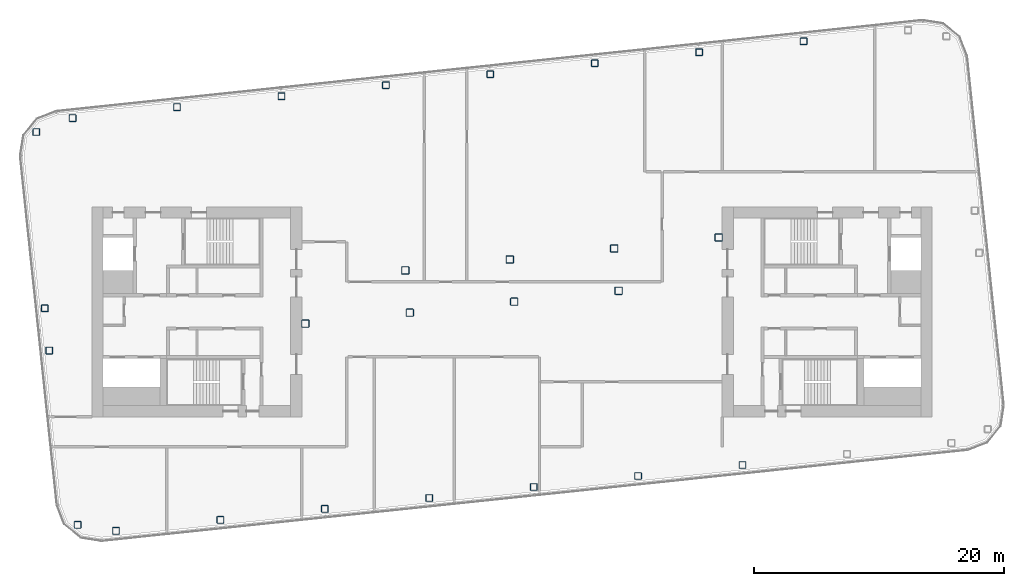
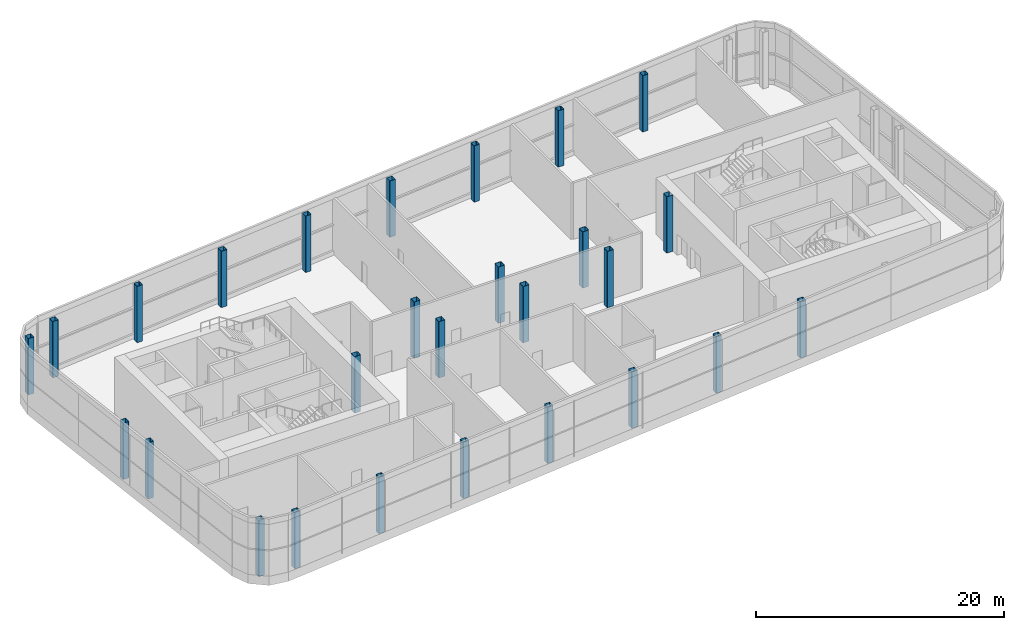
# One storey, part 1 of 35: 27 columns.
"""IFC4 building model written with IfcOpenShell, lengths in metres."""

from ifc_helpers import new_model, si_unit, direction, frame, origin, origin_2d, place, context, subcontext, project, spatial, hollow_rectangle, extrude, material, material_profile, profile_set, type_object, element, save


model = new_model("IFC4")

# Units and contexts
model_context = context("Model", 3, precision=1e-05, world=origin(), true_north=direction((0.0, 1.0)))
body_context = subcontext(model_context, "Body", "Model", "MODEL_VIEW")
ifc_project = project(units=[si_unit("LENGTHUNIT", "METRE"), si_unit("AREAUNIT", "SQUARE_METRE"), si_unit("VOLUMEUNIT", "CUBIC_METRE"), si_unit("PLANEANGLEUNIT", "RADIAN"), si_unit("MASSUNIT", "GRAM", prefix="KILO")], contexts=[model_context])

# Site, building, storey
site_placement = place(None, origin())
site = spatial("IfcSite", under=ifc_project, at=site_placement, CompositionType="ELEMENT")
building_placement = place(site_placement, origin())
building = spatial("IfcBuilding", under=site, at=building_placement, Name="Hakoniwa Tower and Hamabe Station Hall", CompositionType="ELEMENT")
storey_placement = place(building_placement, frame((0.0, 0.0, 270.60009765625)))
storey = spatial("IfcBuildingStorey", under=building, at=storey_placement, Name="L76", CompositionType="ELEMENT", Elevation=270.60009765625)

# Columns
ifc_material_1 = material(Name="Steel BCP325", Category="steel")
ifc_material_profile_1 = material_profile(ifc_material_1, hollow_rectangle(XDim=0.550048828125, YDim=0.550048828125, WallThickness=0.02197265625, InnerFilletRadius=0.032958984375, OuterFilletRadius=0.054931640625, at=origin_2d()), Name="BCP-550x550x22")
ifc_profile_set_1 = profile_set([ifc_material_profile_1], Name="Steel BCP325")
column_type_1 = type_object("IfcColumnType", Name="COLUMN BCP-550x550x22", PredefinedType="COLUMN", material=ifc_profile_set_1)
for number, where, z_axis, x_axis, name in (
    (1, (-34.750732421875, -17.04248046875, 0.0), (0.0, 0.0, 1.0), (1.0, 0.0, 0.0), "Column B5-EW-A5"),
    (2, (-37.017333984375, -3.10009765625, 0.0), (0.0, 0.0, 1.0), (1.0, 0.0, 0.0), "Column B5-EW-C5"),
    (3, (-37.372802734375, 0.28125, 0.0), (0.0, 0.0, 1.0), (1.0, 0.0, 0.0), "Column B5-EW-D5"),
    (4, (-38.054443359375, 14.390380859375, 0.0), (0.0, 0.0, 1.0), (1.0, 0.0, 0.0), "Column B5-EW-F5"),
    (5, (-31.680908203125, -17.521240234375, 0.0), (0.0, 0.0, 1.0), (1.0, 0.0, 0.0), "Column B5-3-A5"),
    (6, (-35.151123046875, 15.496826171875, 0.0), (0.0, 0.0, 1.0), (1.0, 0.0, 0.0), "Column B5-3-F5"),
    (7, (-23.326904296875, -16.643310546875, 0.0), (0.0, 0.0, 1.0), (1.0, 0.0, 0.0), "Column B5-4-A5"),
    (8, (-26.797119140625, 16.375, 0.0), (0.0, 0.0, 1.0), (1.0, 0.0, 0.0), "Column B5-4-F5"),
    (9, (-14.972900390625, -15.76513671875, 0.0), (0.0, 0.0, 1.0), (1.0, 0.0, 0.0), "Column B5-5-A5"),
    (10, (-18.443115234375, 17.2529296875, 0.0), (0.0, 0.0, 1.0), (1.0, 0.0, 0.0), "Column B5-5-F5"),
    (11, (-6.618896484375, -14.88720703125, 0.0), (0.0, 0.0, 1.0), (1.0, 0.0, 0.0), "Column B5-6-A5"),
    (12, (-10.089111328125, 18.131103515625, 0.0), (0.0, 0.0, 1.0), (1.0, 0.0, 0.0), "Column B5-6-F5"),
    (13, (1.735107421875, -14.009033203125, 0.0), (0.0, 0.0, 1.0), (1.0, 0.0, 0.0), "Column B5-7-A5"),
    (14, (-1.735107421875, 19.009033203125, 0.0), (0.0, 0.0, 1.0), (1.0, 0.0, 0.0), "Column B5-7-F5"),
    (15, (10.089111328125, -13.131103515625, 0.0), (0.0, 0.0, 1.0), (1.0, 0.0, 0.0), "Column B5-8-A5"),
    (16, (6.618896484375, 19.88720703125, 0.0), (0.0, 0.0, 1.0), (1.0, 0.0, 0.0), "Column B5-8-F5"),
    (17, (18.443115234375, -12.2529296875, 0.0), (0.0, 0.0, 1.0), (1.0, 0.0, 0.0), "Column B5-9-A5"),
    (18, (14.972900390625, 20.76513671875, 0.0), (0.0, 0.0, 1.0), (1.0, 0.0, 0.0), "Column B5-9-F5"),
    (19, (23.326904296875, 21.643310546875, 0.0), (0.0, 0.0, 1.0), (1.0, 0.0, 0.0), "Column B5-10-F5"),
):
    element("IfcColumn", number, at=place(storey_placement, frame(where, z_axis=z_axis, x_axis=x_axis)), inside=storey, type_object=column_type_1, Name=name, PredefinedType="COLUMN", context=body_context, shape_type="SweptSolid", body=[
        extrude(hollow_rectangle(XDim=0.550048828125, YDim=0.550048828125, WallThickness=0.02197265625, InnerFilletRadius=0.032958984375, OuterFilletRadius=0.054931640625, at=origin_2d()), origin(), (0.0, 0.0, 1.0), 5.5498046875),
    ])
ifc_material_2 = material(Name="Steel BCP325", Category="steel")
ifc_material_profile_2 = material_profile(ifc_material_2, hollow_rectangle(XDim=0.60009765625, YDim=0.60009765625, WallThickness=0.02490234375, InnerFilletRadius=0.03759765625, OuterFilletRadius=0.0625, at=origin_2d()), Name="BCP-600x600x25")
ifc_profile_set_2 = profile_set([ifc_material_profile_2], Name="Steel BCP325")
column_type_2 = type_object("IfcColumnType", Name="COLUMN BCP-600x600x25", PredefinedType="COLUMN", material=ifc_profile_set_2)
for number, where, z_axis, x_axis, name in (
    (20, (-16.5302734375, -0.94677734375, 0.0), (0.0, 0.0, 1.0), (1.0, 0.0, 0.0), "Column B5-5-C5"),
    (21, (-8.17626953125, -0.068603515625, 0.0), (0.0, 0.0, 1.0), (1.0, 0.0, 0.0), "Column B5-6-C5"),
    (22, (-8.53173828125, 3.3125, 0.0), (0.0, 0.0, 1.0), (1.0, 0.0, 0.0), "Column B5-6-D5"),
    (23, (0.177734375, 0.809326171875, 0.0), (0.0, 0.0, 1.0), (1.0, 0.0, 0.0), "Column B5-7-C5"),
    (24, (-0.177734375, 4.190673828125, 0.0), (0.0, 0.0, 1.0), (1.0, 0.0, 0.0), "Column B5-7-D5"),
    (25, (8.53173828125, 1.6875, 0.0), (0.0, 0.0, 1.0), (1.0, 0.0, 0.0), "Column B5-8-C5"),
    (26, (8.17626953125, 5.068603515625, 0.0), (0.0, 0.0, 1.0), (1.0, 0.0, 0.0), "Column B5-8-D5"),
    (27, (16.5302734375, 5.94677734375, 0.0), (0.0, 0.0, 1.0), (1.0, 0.0, 0.0), "Column B5-9-D5"),
):
    element("IfcColumn", number, at=place(storey_placement, frame(where, z_axis=z_axis, x_axis=x_axis)), inside=storey, type_object=column_type_2, Name=name, PredefinedType="COLUMN", context=body_context, shape_type="SweptSolid", body=[
        extrude(hollow_rectangle(XDim=0.60009765625, YDim=0.60009765625, WallThickness=0.02490234375, InnerFilletRadius=0.03759765625, OuterFilletRadius=0.0625, at=origin_2d()), origin(), (0.0, 0.0, 1.0), 5.5498046875),
    ])

save(model, "model.ifc")
